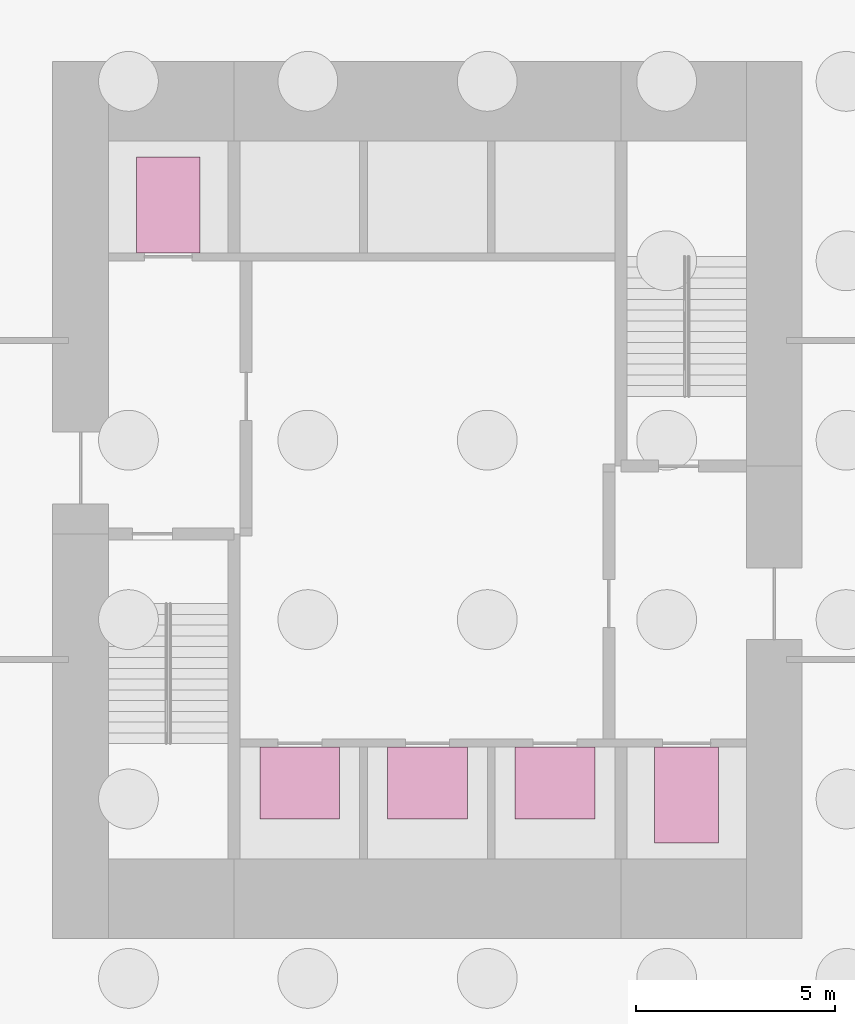
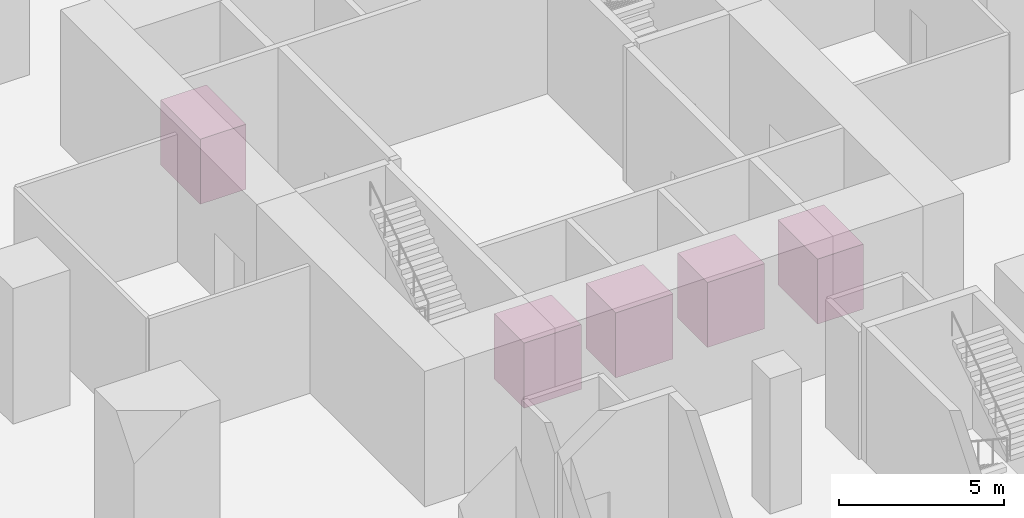
# One storey, part 17 of 17: 5 transport elements.
"""IFC4 building model written with IfcOpenShell, lengths in metres."""

import ifcopenshell
import ifcopenshell.guid

model = None  # the IFC model being written
_history = None  # IfcOwnerHistory: only IFC2X3 demands one
_inside = {}  # id of a spatial element -> (the spatial element, [elements in it])
_under = {}  # id of a project, library or spatial element -> (it, [spatial elements below it])
_declared = {}  # id of a project -> (the project, [libraries it declares])
_typed = {}  # id of a type object -> (the type object, [elements of that type])
_made_of = {}  # id of a material, layer set ... -> (it, [elements and type objects made of it])


def new_model(schema):
    """Start an empty IFC model of exactly this schema.

    Asked for "IFC4X3", IfcOpenShell would pick the latest addendum, in which some entities
    have other attributes; the version numbers below select the first issue.
    IFC2X3 requires an IfcOwnerHistory on every rooted entity: one is made here for all.
    """
    global model, _history
    if schema == "IFC4X3":
        model = ifcopenshell.file(schema_version=(4, 3, 0, 0))
    else:
        model = ifcopenshell.file(schema=schema)
    _inside.clear()
    _under.clear()
    _declared.clear()
    _typed.clear()
    _made_of.clear()
    _history = None
    if model.schema == "IFC2X3":
        org = make("IfcOrganization", Name="unknown")
        user = make(
            "IfcPersonAndOrganization",
            ThePerson=make("IfcPerson", FamilyName="unknown"),
            TheOrganization=org,
        )
        app = make(
            "IfcApplication",
            ApplicationDeveloper=org,
            Version="unknown",
            ApplicationFullName="unknown",
            ApplicationIdentifier="unknown",
        )
        _history = make(
            "IfcOwnerHistory",
            OwningUser=user,
            OwningApplication=app,
            ChangeAction="ADDED",
            CreationDate=0,
        )
    return model


def make(cls, **values):
    """One entity of the class cls with the attributes given. An attribute that is None is left unset."""
    return model.create_entity(
        cls, **{name: value for name, value in values.items() if value is not None}
    )


def rooted(cls, **values):
    """An entity with a GlobalId (a new one), such as an element, a storey or a relation."""
    return make(cls, GlobalId=ifcopenshell.guid.new(), OwnerHistory=_history, **values)


def si_unit(unit_type, name, prefix=None):
    """IfcSIUnit, for example si_unit("LENGTHUNIT", "METRE", prefix="MILLI")."""
    return make("IfcSIUnit", UnitType=unit_type, Prefix=prefix, Name=name)


def assignment(units):
    """IfcUnitAssignment: the units of a project."""
    return None if units is None else make("IfcUnitAssignment", Units=units)


def point(xyz):
    """IfcCartesianPoint."""
    return None if xyz is None else make("IfcCartesianPoint", Coordinates=xyz)


def direction(xyz):
    """IfcDirection."""
    return None if xyz is None else make("IfcDirection", DirectionRatios=xyz)


def frame(location, z_axis=None, x_axis=None):
    """IfcAxis2Placement3D, a coordinate frame: its origin and axes. An axis left out is left unset."""
    return make(
        "IfcAxis2Placement3D",
        Location=point(location),
        Axis=direction(z_axis),
        RefDirection=direction(x_axis),
    )


def frame_2d(location, x_axis=None):
    """IfcAxis2Placement2D, a coordinate frame in the plane: its origin and x axis."""
    return make(
        "IfcAxis2Placement2D", Location=point(location), RefDirection=direction(x_axis)
    )


def origin():
    """The frame at (0, 0, 0) with its axes left unset."""
    return frame((0.0, 0.0, 0.0))


def origin_2d():
    """The frame at (0, 0) in the plane with its x axis left unset."""
    return frame_2d((0.0, 0.0))


def place(relative_to, where):
    """IfcLocalPlacement: puts the frame where relative to a parent placement (None: the world)."""
    return make(
        "IfcLocalPlacement", PlacementRelTo=relative_to, RelativePlacement=where
    )


def context(
    kind, dimensions, precision=None, world=None, true_north=None, identifier=None
):
    """IfcGeometricRepresentationContext, for example the 3D "Model" context."""
    return make(
        "IfcGeometricRepresentationContext",
        ContextIdentifier=identifier,
        ContextType=kind,
        CoordinateSpaceDimension=dimensions,
        Precision=precision,
        WorldCoordinateSystem=world,
        TrueNorth=true_north,
    )


def subcontext(parent, identifier, kind, view, scale=None):
    """IfcGeometricRepresentationSubContext, for example "Body" below "Model"."""
    return make(
        "IfcGeometricRepresentationSubContext",
        ContextIdentifier=identifier,
        ContextType=kind,
        ParentContext=parent,
        TargetScale=scale,
        TargetView=view,
    )


def project(units=None, contexts=None):
    """IfcProject with its units and contexts."""
    return rooted(
        "IfcProject",
        Name="project",
        RepresentationContexts=contexts,
        UnitsInContext=assignment(units),
    )


def spatial(cls, under=None, at=None, **own):
    """A site, building, storey or space (cls), placed at a placement, below another one or the project."""
    s = rooted(cls, ObjectPlacement=at, **own)
    if under is not None:
        _under.setdefault(under.id(), (under, []))[1].append(s)
    return s


def profile(cls, at=None, kind="AREA", **sizes):
    """A parametric profile (cls). Its sizes go by their IFC names, for example OverallWidth=200.0."""
    return make(cls, ProfileType=kind, Position=at, **sizes)


def rectangle(**sizes):
    """IfcRectangleProfileDef."""
    return profile("IfcRectangleProfileDef", **sizes)


def extrude(swept, where, along, depth):
    """IfcExtrudedAreaSolid: the profile swept, set in the frame where, extruded along a direction by depth."""
    return make(
        "IfcExtrudedAreaSolid",
        SweptArea=swept,
        Position=where,
        ExtrudedDirection=direction(along),
        Depth=depth,
    )


def shape(context_of_items, identifier, shape_type, items):
    """IfcShapeRepresentation: the items that make up one representation, for example the "Body"."""
    return make(
        "IfcShapeRepresentation",
        ContextOfItems=context_of_items,
        RepresentationIdentifier=identifier,
        RepresentationType=shape_type,
        Items=items,
    )


def material(Name=None, Category=None):
    """IfcMaterial."""
    return make("IfcMaterial", Name=Name, Category=Category)


def made_of(thing, what):
    """Note that an element or type object is made of a material, layer set ...; save() writes the relation."""
    if what is not None:
        _made_of.setdefault(what.id(), (what, []))[1].append(thing)
    return thing


def type_object(cls, material=None, **own):
    """A type object (cls), such as IfcWallType, which elements share."""
    return made_of(rooted(cls, **own), material)


def element(
    cls,
    number,
    at=None,
    inside=None,
    cuts=None,
    type_object=None,
    material=None,
    context=None,
    identifier="Body",
    shape_type=None,
    held_by="IfcProductDefinitionShape",
    body=None,
    shapes=None,
    **own,
):
    """One element of the class cls, such as IfcWall. Its Tag is "e" and its number.

    at: its placement. inside: the storey or other place that contains it. cuts: it is an
    opening in that element (IfcRelVoidsElement). A single representation is given by context,
    identifier, shape_type and body (its items); several are given by shapes. held_by: the class
    of the entity that holds the representations. save() writes the other relations.
    """
    e = rooted(cls, Tag="e%d" % number, ObjectPlacement=at, **own)
    if body is not None:
        shapes = [shape(context, identifier, shape_type, body)]
    if shapes is not None:
        e.Representation = make(held_by, Representations=shapes)
    if inside is not None:
        _inside.setdefault(inside.id(), (inside, []))[1].append(e)
    if cuts is not None:
        rooted(
            "IfcRelVoidsElement", RelatingBuildingElement=cuts, RelatedOpeningElement=e
        )
    if type_object is not None:
        _typed.setdefault(type_object.id(), (type_object, []))[1].append(e)
    return made_of(e, material)


def aggregate(whole, parts):
    """IfcRelAggregates: a whole, such as a stair, and the parts it consists of."""
    return rooted("IfcRelAggregates", RelatingObject=whole, RelatedObjects=parts)


def save(model, path):
    """Write the relations noted so far, then the file.

    IfcRelAggregates (storeys below a building ...), IfcRelContainedInSpatialStructure (elements
    in a storey), IfcRelDefinesByType, IfcRelAssociatesMaterial and IfcRelDeclares: one each for
    every whole, place, type object, material and project.
    """
    for whole, parts in _under.values():
        aggregate(whole, parts)
    for where, things in _inside.values():
        rooted(
            "IfcRelContainedInSpatialStructure",
            RelatedElements=things,
            RelatingStructure=where,
        )
    for kind, things in _typed.values():
        rooted("IfcRelDefinesByType", RelatedObjects=things, RelatingType=kind)
    for what, things in _made_of.values():
        rooted("IfcRelAssociatesMaterial", RelatedObjects=things, RelatingMaterial=what)
    for by, libraries in _declared.values():
        rooted("IfcRelDeclares", RelatingContext=by, RelatedDefinitions=libraries)
    model.write(path)


model = new_model("IFC4")

# Units and contexts
model_context = context("Model", 3, precision=1e-05, world=origin(), true_north=direction((0.0, 1.0)))
body_context = subcontext(model_context, "Body", "Model", "MODEL_VIEW")
ifc_project = project(units=[si_unit("LENGTHUNIT", "METRE"), si_unit("AREAUNIT", "SQUARE_METRE"), si_unit("VOLUMEUNIT", "CUBIC_METRE"), si_unit("PLANEANGLEUNIT", "RADIAN"), si_unit("MASSUNIT", "GRAM", prefix="KILO")], contexts=[model_context])

# Site, building, storey
site_placement = place(None, origin())
site = spatial("IfcSite", under=ifc_project, at=site_placement, CompositionType="ELEMENT")
building_placement = place(site_placement, origin())
building = spatial("IfcBuilding", under=site, at=building_placement, Name="Cleftline Residences", CompositionType="ELEMENT")
storey_placement = place(building_placement, frame((0.0, 0.0, -5.0)))
storey = spatial("IfcBuildingStorey", under=building, at=storey_placement, Name="L-01", CompositionType="ELEMENT", Elevation=-5.0)

# Transport elements
ifc_material_1 = material(Name="Steel lift car", Category="steel")
transport_element_type_1 = type_object("IfcTransportElementType", Name="FIREFIGHTING LIFT", PredefinedType="ELEVATOR", material=ifc_material_1)
for number, where, z_axis, x_axis, name in (
    (1, (26.5, 31.39990234375, 0.0), (0.0, 0.0, 1.0), (1.0, 0.0, 0.0), "Lift FL1"),
    (2, (39.5, 16.60009765625, 0.0), (0.0, 0.0, 1.0), (1.0, 0.0, 0.0), "Lift FL2"),
):
    element("IfcTransportElement", number, at=place(storey_placement, frame(where, z_axis=z_axis, x_axis=x_axis)), inside=storey, type_object=transport_element_type_1, Name=name, PredefinedType="ELEVATOR", context=body_context, shape_type="SweptSolid", body=[
        extrude(rectangle(XDim=1.60009765625, YDim=2.39990234375, at=origin_2d()), origin(), (0.0, 0.0, 1.0), 2.39990234375),
    ])
ifc_material_2 = material(Name="Steel lift car", Category="steel")
transport_element_type_2 = type_object("IfcTransportElementType", Name="PASSENGER LIFT", PredefinedType="ELEVATOR", material=ifc_material_2)
for number, where, z_axis, x_axis, name in (
    (3, (29.800048828125, 16.89990234375, 0.0), (0.0, 0.0, 1.0), (1.0, 0.0, 0.0), "Lift P1"),
    (4, (33.0, 16.89990234375, 0.0), (0.0, 0.0, 1.0), (1.0, 0.0, 0.0), "Lift P2"),
    (5, (36.199951171875, 16.89990234375, 0.0), (0.0, 0.0, 1.0), (1.0, 0.0, 0.0), "Lift P3"),
):
    element("IfcTransportElement", number, at=place(storey_placement, frame(where, z_axis=z_axis, x_axis=x_axis)), inside=storey, type_object=transport_element_type_2, Name=name, PredefinedType="ELEVATOR", context=body_context, shape_type="SweptSolid", body=[
        extrude(rectangle(XDim=2.0, YDim=1.800048828125, at=origin_2d()), origin(), (0.0, 0.0, 1.0), 2.39990234375),
    ])

save(model, "model.ifc")
